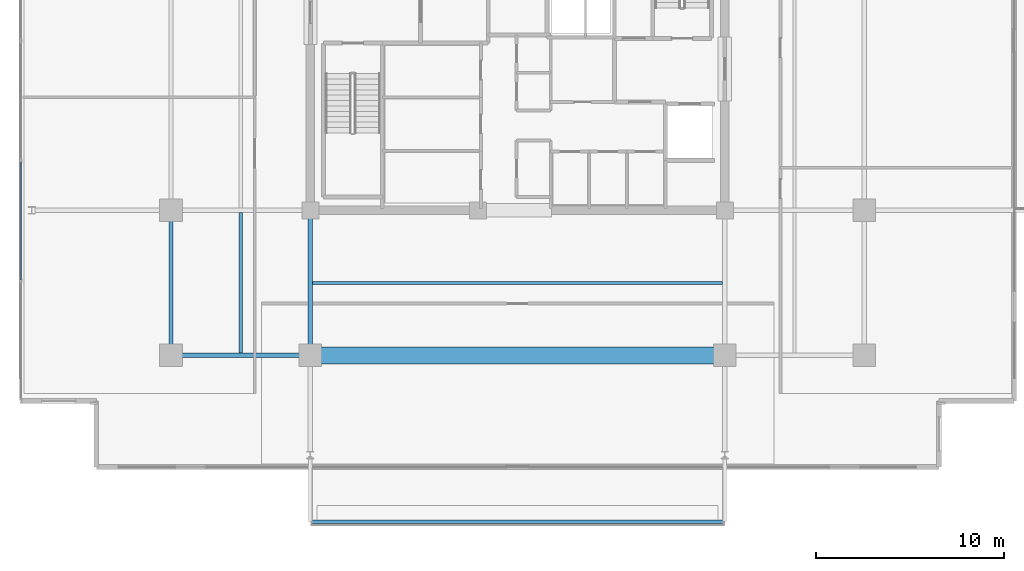
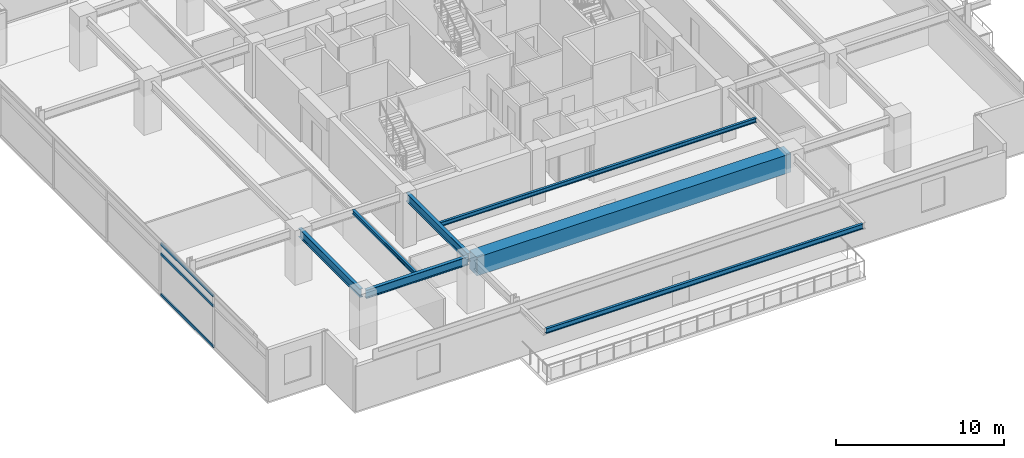
# One storey, part 3 of 24: 7 beams, 3 members, 1 element without a shape of its own.
"""IFC4 building model written with IfcOpenShell, lengths in metres."""

import ifcopenshell
import ifcopenshell.guid

model = None  # the IFC model being written
_history = None  # IfcOwnerHistory: only IFC2X3 demands one
_inside = {}  # id of a spatial element -> (the spatial element, [elements in it])
_under = {}  # id of a project, library or spatial element -> (it, [spatial elements below it])
_declared = {}  # id of a project -> (the project, [libraries it declares])
_typed = {}  # id of a type object -> (the type object, [elements of that type])
_made_of = {}  # id of a material, layer set ... -> (it, [elements and type objects made of it])


def new_model(schema):
    """Start an empty IFC model of exactly this schema.

    Asked for "IFC4X3", IfcOpenShell would pick the latest addendum, in which some entities
    have other attributes; the version numbers below select the first issue.
    IFC2X3 requires an IfcOwnerHistory on every rooted entity: one is made here for all.
    """
    global model, _history
    if schema == "IFC4X3":
        model = ifcopenshell.file(schema_version=(4, 3, 0, 0))
    else:
        model = ifcopenshell.file(schema=schema)
    _inside.clear()
    _under.clear()
    _declared.clear()
    _typed.clear()
    _made_of.clear()
    _history = None
    if model.schema == "IFC2X3":
        org = make("IfcOrganization", Name="unknown")
        user = make(
            "IfcPersonAndOrganization",
            ThePerson=make("IfcPerson", FamilyName="unknown"),
            TheOrganization=org,
        )
        app = make(
            "IfcApplication",
            ApplicationDeveloper=org,
            Version="unknown",
            ApplicationFullName="unknown",
            ApplicationIdentifier="unknown",
        )
        _history = make(
            "IfcOwnerHistory",
            OwningUser=user,
            OwningApplication=app,
            ChangeAction="ADDED",
            CreationDate=0,
        )
    return model


def make(cls, **values):
    """One entity of the class cls with the attributes given. An attribute that is None is left unset."""
    return model.create_entity(
        cls, **{name: value for name, value in values.items() if value is not None}
    )


def rooted(cls, **values):
    """An entity with a GlobalId (a new one), such as an element, a storey or a relation."""
    return make(cls, GlobalId=ifcopenshell.guid.new(), OwnerHistory=_history, **values)


def si_unit(unit_type, name, prefix=None):
    """IfcSIUnit, for example si_unit("LENGTHUNIT", "METRE", prefix="MILLI")."""
    return make("IfcSIUnit", UnitType=unit_type, Prefix=prefix, Name=name)


def assignment(units):
    """IfcUnitAssignment: the units of a project."""
    return None if units is None else make("IfcUnitAssignment", Units=units)


def point(xyz):
    """IfcCartesianPoint."""
    return None if xyz is None else make("IfcCartesianPoint", Coordinates=xyz)


def direction(xyz):
    """IfcDirection."""
    return None if xyz is None else make("IfcDirection", DirectionRatios=xyz)


def frame(location, z_axis=None, x_axis=None):
    """IfcAxis2Placement3D, a coordinate frame: its origin and axes. An axis left out is left unset."""
    return make(
        "IfcAxis2Placement3D",
        Location=point(location),
        Axis=direction(z_axis),
        RefDirection=direction(x_axis),
    )


def frame_2d(location, x_axis=None):
    """IfcAxis2Placement2D, a coordinate frame in the plane: its origin and x axis."""
    return make(
        "IfcAxis2Placement2D", Location=point(location), RefDirection=direction(x_axis)
    )


def origin():
    """The frame at (0, 0, 0) with its axes left unset."""
    return frame((0.0, 0.0, 0.0))


def origin_2d():
    """The frame at (0, 0) in the plane with its x axis left unset."""
    return frame_2d((0.0, 0.0))


def place(relative_to, where):
    """IfcLocalPlacement: puts the frame where relative to a parent placement (None: the world)."""
    return make(
        "IfcLocalPlacement", PlacementRelTo=relative_to, RelativePlacement=where
    )


def context(
    kind, dimensions, precision=None, world=None, true_north=None, identifier=None
):
    """IfcGeometricRepresentationContext, for example the 3D "Model" context."""
    return make(
        "IfcGeometricRepresentationContext",
        ContextIdentifier=identifier,
        ContextType=kind,
        CoordinateSpaceDimension=dimensions,
        Precision=precision,
        WorldCoordinateSystem=world,
        TrueNorth=true_north,
    )


def subcontext(parent, identifier, kind, view, scale=None):
    """IfcGeometricRepresentationSubContext, for example "Body" below "Model"."""
    return make(
        "IfcGeometricRepresentationSubContext",
        ContextIdentifier=identifier,
        ContextType=kind,
        ParentContext=parent,
        TargetScale=scale,
        TargetView=view,
    )


def project(units=None, contexts=None):
    """IfcProject with its units and contexts."""
    return rooted(
        "IfcProject",
        Name="project",
        RepresentationContexts=contexts,
        UnitsInContext=assignment(units),
    )


def spatial(cls, under=None, at=None, **own):
    """A site, building, storey or space (cls), placed at a placement, below another one or the project."""
    s = rooted(cls, ObjectPlacement=at, **own)
    if under is not None:
        _under.setdefault(under.id(), (under, []))[1].append(s)
    return s


def profile(cls, at=None, kind="AREA", **sizes):
    """A parametric profile (cls). Its sizes go by their IFC names, for example OverallWidth=200.0."""
    return make(cls, ProfileType=kind, Position=at, **sizes)


def rectangle(**sizes):
    """IfcRectangleProfileDef."""
    return profile("IfcRectangleProfileDef", **sizes)


def hollow_rectangle(**sizes):
    """IfcRectangleHollowProfileDef."""
    return profile("IfcRectangleHollowProfileDef", **sizes)


def i_section(**sizes):
    """IfcIShapeProfileDef."""
    return profile("IfcIShapeProfileDef", **sizes)


def extrude(swept, where, along, depth):
    """IfcExtrudedAreaSolid: the profile swept, set in the frame where, extruded along a direction by depth."""
    return make(
        "IfcExtrudedAreaSolid",
        SweptArea=swept,
        Position=where,
        ExtrudedDirection=direction(along),
        Depth=depth,
    )


def shape(context_of_items, identifier, shape_type, items):
    """IfcShapeRepresentation: the items that make up one representation, for example the "Body"."""
    return make(
        "IfcShapeRepresentation",
        ContextOfItems=context_of_items,
        RepresentationIdentifier=identifier,
        RepresentationType=shape_type,
        Items=items,
    )


def material(Name=None, Category=None):
    """IfcMaterial."""
    return make("IfcMaterial", Name=Name, Category=Category)


def material_profile(
    of_material, cross_section, Name=None, Category=None, Priority=None
):
    """IfcMaterialProfile: a cross section and its material."""
    return make(
        "IfcMaterialProfile",
        Name=Name,
        Material=of_material,
        Profile=cross_section,
        Priority=Priority,
        Category=Category,
    )


def profile_set(profiles, Name=None, composite=None):
    """IfcMaterialProfileSet."""
    return make(
        "IfcMaterialProfileSet",
        Name=Name,
        MaterialProfiles=profiles,
        CompositeProfile=composite,
    )


def made_of(thing, what):
    """Note that an element or type object is made of a material, layer set ...; save() writes the relation."""
    if what is not None:
        _made_of.setdefault(what.id(), (what, []))[1].append(thing)
    return thing


def type_object(cls, material=None, **own):
    """A type object (cls), such as IfcWallType, which elements share."""
    return made_of(rooted(cls, **own), material)


def element(
    cls,
    number,
    at=None,
    inside=None,
    cuts=None,
    type_object=None,
    material=None,
    context=None,
    identifier="Body",
    shape_type=None,
    held_by="IfcProductDefinitionShape",
    body=None,
    shapes=None,
    **own,
):
    """One element of the class cls, such as IfcWall. Its Tag is "e" and its number.

    at: its placement. inside: the storey or other place that contains it. cuts: it is an
    opening in that element (IfcRelVoidsElement). A single representation is given by context,
    identifier, shape_type and body (its items); several are given by shapes. held_by: the class
    of the entity that holds the representations. save() writes the other relations.
    """
    e = rooted(cls, Tag="e%d" % number, ObjectPlacement=at, **own)
    if body is not None:
        shapes = [shape(context, identifier, shape_type, body)]
    if shapes is not None:
        e.Representation = make(held_by, Representations=shapes)
    if inside is not None:
        _inside.setdefault(inside.id(), (inside, []))[1].append(e)
    if cuts is not None:
        rooted(
            "IfcRelVoidsElement", RelatingBuildingElement=cuts, RelatedOpeningElement=e
        )
    if type_object is not None:
        _typed.setdefault(type_object.id(), (type_object, []))[1].append(e)
    return made_of(e, material)


def aggregate(whole, parts):
    """IfcRelAggregates: a whole, such as a stair, and the parts it consists of."""
    return rooted("IfcRelAggregates", RelatingObject=whole, RelatedObjects=parts)


def save(model, path):
    """Write the relations noted so far, then the file.

    IfcRelAggregates (storeys below a building ...), IfcRelContainedInSpatialStructure (elements
    in a storey), IfcRelDefinesByType, IfcRelAssociatesMaterial and IfcRelDeclares: one each for
    every whole, place, type object, material and project.
    """
    for whole, parts in _under.values():
        aggregate(whole, parts)
    for where, things in _inside.values():
        rooted(
            "IfcRelContainedInSpatialStructure",
            RelatedElements=things,
            RelatingStructure=where,
        )
    for kind, things in _typed.values():
        rooted("IfcRelDefinesByType", RelatedObjects=things, RelatingType=kind)
    for what, things in _made_of.values():
        rooted("IfcRelAssociatesMaterial", RelatedObjects=things, RelatingMaterial=what)
    for by, libraries in _declared.values():
        rooted("IfcRelDeclares", RelatingContext=by, RelatedDefinitions=libraries)
    model.write(path)


model = new_model("IFC4")

# Units and contexts
model_context = context("Model", 3, precision=1e-05, world=origin(), true_north=direction((0.0, 1.0)))
body_context = subcontext(model_context, "Body", "Model", "MODEL_VIEW")
ifc_project = project(units=[si_unit("LENGTHUNIT", "METRE"), si_unit("AREAUNIT", "SQUARE_METRE"), si_unit("VOLUMEUNIT", "CUBIC_METRE"), si_unit("PLANEANGLEUNIT", "RADIAN"), si_unit("MASSUNIT", "GRAM", prefix="KILO")], contexts=[model_context])

# Site, building, storey
site_placement = place(None, origin())
site = spatial("IfcSite", under=ifc_project, at=site_placement, CompositionType="ELEMENT")
building_placement = place(site_placement, origin())
building = spatial("IfcBuilding", under=site, at=building_placement, Name="Kovane Verandah Tower", CompositionType="ELEMENT")
storey_placement = place(building_placement, frame((0.0, 0.0, 259.199951171875)))
storey = spatial("IfcBuildingStorey", under=building, at=storey_placement, Name="L60", CompositionType="ELEMENT", Elevation=259.199951171875)

# Beams
ifc_material_1 = material(Name="Concrete C80/95", Category="concrete")
ifc_material_profile_1 = material_profile(ifc_material_1, rectangle(XDim=0.89990234375, YDim=1.35009765625, at=origin_2d()), Name="RCB900x1350")
ifc_profile_set_1 = profile_set([ifc_material_profile_1], Name="Concrete C80/95")
beam_type_1 = type_object("IfcBeamType", Name="BM-TR-900x1350", PredefinedType="BEAM", material=ifc_profile_set_1)
beam_1_placement = place(storey_placement, frame((29.179931640625, 10.800048828125, 3.110107421875), z_axis=(1.0, 0.0, 0.0), x_axis=(0.0, 1.0, 0.0)))
element("IfcBeam", 1, at=beam_1_placement, inside=storey, type_object=beam_type_1, Name="L60 Primary Tower Girder G-RS2", PredefinedType="BEAM", context=body_context, shape_type="SweptSolid", body=[
    extrude(rectangle(XDim=0.89990234375, YDim=1.35009765625, at=origin_2d()), origin(), (0.0, 0.0, 1.0), 21.64013671875),
])
ifc_material_2 = material(Name="Steel S355", Category="steel")
ifc_material_profile_2 = material_profile(ifc_material_2, i_section(OverallWidth=0.230224609375, OverallDepth=0.6171875, WebThickness=0.01318359375, FlangeThickness=0.022216796875, FilletRadius=0.0126953125, at=origin_2d()), Name="UB610x229x140")
ifc_profile_set_2 = profile_set([ifc_material_profile_2], Name="Steel S355")
beam_type_2 = type_object("IfcBeamType", Name="BM-UB610x140", PredefinedType="BEAM", material=ifc_profile_set_2)
beam_2_placement = place(storey_placement, frame((21.780029296875, 10.800048828125, 3.4765625), z_axis=(1.0, 0.0, 0.0), x_axis=(0.0, 1.0, 0.0)))
element("IfcBeam", 2, at=beam_2_placement, inside=storey, type_object=beam_type_2, Name="L60 Primary Tower Girder G-RS1", PredefinedType="BEAM", context=body_context, shape_type="SweptSolid", body=[
    extrude(i_section(OverallWidth=0.230224609375, OverallDepth=0.6171875, WebThickness=0.01318359375, FlangeThickness=0.022216796875, FilletRadius=0.0126953125, at=origin_2d()), origin(), (0.0, 0.0, 1.0), 7.0400390625),
])
for number, where, z_axis, x_axis, name in (
    (3, (21.60009765625, 10.97998046875, 3.4765625), (0.0, 1.0, 0.0), (-1.0, 0.0, 0.0), "L60 Primary Tower Girder G-RW1"),
    (4, (29.0, 18.320068359375, 3.4765625), (0.0, -1.0, 0.0), (1.0, 0.0, 0.0), "L60 Primary Tower Girder G-S1"),
):
    element("IfcBeam", number, at=place(storey_placement, frame(where, z_axis=z_axis, x_axis=x_axis)), inside=storey, type_object=beam_type_2, Name=name, PredefinedType="BEAM", context=body_context, shape_type="SweptSolid", body=[
        extrude(i_section(OverallWidth=0.230224609375, OverallDepth=0.6171875, WebThickness=0.01318359375, FlangeThickness=0.022216796875, FilletRadius=0.0126953125, at=origin_2d()), origin(), (0.0, 0.0, 1.0), 7.340087890625),
    ])

# Curtain wall, members
ifc_material_3 = material(Name="Champagne Anodised Aluminium Frame with Low-E Clear Laminated Glass", Category="aluminium")
curtain_wall_type = type_object("IfcCurtainWallType", Name="CW-SYS-05-HIGH", PredefinedType="NOTDEFINED", material=ifc_material_3)
curtain_wall_placement = place(storey_placement, origin())
curtain_wall = element("IfcCurtainWall", 5, at=curtain_wall_placement, inside=storey, type_object=curtain_wall_type, Name="L60 W Unitised Curtain Wall", PredefinedType="NOTDEFINED")
ifc_material_4 = material(Name="Champagne Anodised Aluminium 6063-T6", Category="aluminium")
ifc_material_profile_3 = material_profile(ifc_material_4, hollow_rectangle(XDim=0.0849609375, YDim=0.18994140625, WallThickness=0.00390625, at=origin_2d()), Name="AL85x190x4")
ifc_profile_set_3 = profile_set([ifc_material_profile_3], Name="Champagne Anodised Aluminium 6063-T6")
member_type = type_object("IfcMemberType", Name="CW-TRN-85x190", PredefinedType="USERDEFINED", material=ifc_profile_set_3)
member_1_placement = place(storey_placement, frame((13.633544921875, 21.077392578125, 0.050048828125), z_axis=(0.0, -1.0, 0.0), x_axis=(1.0, 0.0, 0.0)))
member_1 = element("IfcMember", 6, at=member_1_placement, type_object=member_type, Name="L60 W Unitised Curtain Wall Transom TB Bay 5", ObjectType="TRANSOM", PredefinedType="USERDEFINED", context=body_context, shape_type="SweptSolid", body=[
    extrude(hollow_rectangle(XDim=0.0849609375, YDim=0.18994140625, WallThickness=0.00390625, at=origin_2d()), origin(), (0.0, 0.0, 1.0), 6.27294921875),
])
member_2_placement = place(storey_placement, frame((13.633544921875, 21.077392578125, 3.005126953125), z_axis=(0.0, -1.0, 0.0), x_axis=(1.0, 0.0, 0.0)))
member_2 = element("IfcMember", 7, at=member_2_placement, type_object=member_type, Name="L60 W Unitised Curtain Wall Transom TM Bay 5", ObjectType="TRANSOM", PredefinedType="USERDEFINED", context=body_context, shape_type="SweptSolid", body=[
    extrude(hollow_rectangle(XDim=0.0849609375, YDim=0.18994140625, WallThickness=0.00390625, at=origin_2d()), origin(), (0.0, 0.0, 1.0), 6.27294921875),
])
member_3_placement = place(storey_placement, frame((13.633544921875, 21.077392578125, 3.735107421875), z_axis=(0.0, -1.0, 0.0), x_axis=(1.0, 0.0, 0.0)))
member_3 = element("IfcMember", 8, at=member_3_placement, type_object=member_type, Name="L60 W Unitised Curtain Wall Transom TT Bay 5", ObjectType="TRANSOM", PredefinedType="USERDEFINED", context=body_context, shape_type="SweptSolid", body=[
    extrude(hollow_rectangle(XDim=0.0849609375, YDim=0.18994140625, WallThickness=0.00390625, at=origin_2d()), origin(), (0.0, 0.0, 1.0), 6.27294921875),
])
aggregate(curtain_wall, [member_1, member_2, member_3])

# Beams
ifc_material_profile_4 = material_profile(ifc_material_2, i_section(OverallWidth=0.1669921875, OverallDepth=0.310302734375, WebThickness=0.0078125, FlangeThickness=0.013671875, FilletRadius=0.0087890625, at=origin_2d()), Name="UB305x165x54")
ifc_profile_set_4 = profile_set([ifc_material_profile_4], Name="Steel S355")
beam_type_3 = type_object("IfcBeamType", Name="JST-UB305x54", PredefinedType="JOIST", material=ifc_profile_set_4)
beam_3_placement = place(storey_placement, frame((29.113037109375, 14.64990234375, 3.6298828125), z_axis=(1.0, 0.0, 0.0), x_axis=(0.0, 1.0, 0.0)))
element("IfcBeam", 9, at=beam_3_placement, inside=storey, type_object=beam_type_3, Name="L60 Secondary Composite Joist J-S1", PredefinedType="JOIST", context=body_context, shape_type="SweptSolid", body=[
    extrude(i_section(OverallWidth=0.1669921875, OverallDepth=0.310302734375, WebThickness=0.0078125, FlangeThickness=0.013671875, FilletRadius=0.0087890625, at=origin_2d()), origin(), (0.0, 0.0, 1.0), 21.77392578125),
])
beam_4_placement = place(storey_placement, frame((25.300048828125, 10.9130859375, 3.6298828125), z_axis=(0.0, 1.0, 0.0), x_axis=(-1.0, 0.0, 0.0)))
element("IfcBeam", 10, at=beam_4_placement, inside=storey, type_object=beam_type_3, Name="L60 Secondary Composite Joist J-SW1", PredefinedType="JOIST", context=body_context, shape_type="SweptSolid", body=[
    extrude(i_section(OverallWidth=0.1669921875, OverallDepth=0.310302734375, WebThickness=0.0078125, FlangeThickness=0.013671875, FilletRadius=0.0087890625, at=origin_2d()), origin(), (0.0, 0.0, 1.0), 7.473876953125),
])
ifc_material_profile_5 = material_profile(ifc_material_2, i_section(OverallWidth=0.173095703125, OverallDepth=0.36328125, WebThickness=0.009033203125, FlangeThickness=0.015625, FilletRadius=0.01025390625, at=origin_2d()), Name="UB356x171x67")
ifc_profile_set_5 = profile_set([ifc_material_profile_5], Name="Steel S355")
beam_type_4 = type_object("IfcBeamType", Name="SPD-UB356x67", PredefinedType="USERDEFINED", material=ifc_profile_set_5)
beam_5_placement = place(storey_placement, frame((29.094482421875, 1.969970703125, 3.578369140625), z_axis=(1.0, 0.0, 0.0), x_axis=(0.0, 1.0, 0.0)))
element("IfcBeam", 11, at=beam_5_placement, inside=storey, type_object=beam_type_4, Name="L60 South Planter Edge Spandrel", ObjectType="SPANDREL", PredefinedType="USERDEFINED", context=body_context, shape_type="SweptSolid", body=[
    extrude(i_section(OverallWidth=0.173095703125, OverallDepth=0.36328125, WebThickness=0.009033203125, FlangeThickness=0.015625, FilletRadius=0.01025390625, at=origin_2d()), origin(), (0.0, 0.0, 1.0), 21.81103515625),
])

save(model, "model.ifc")
